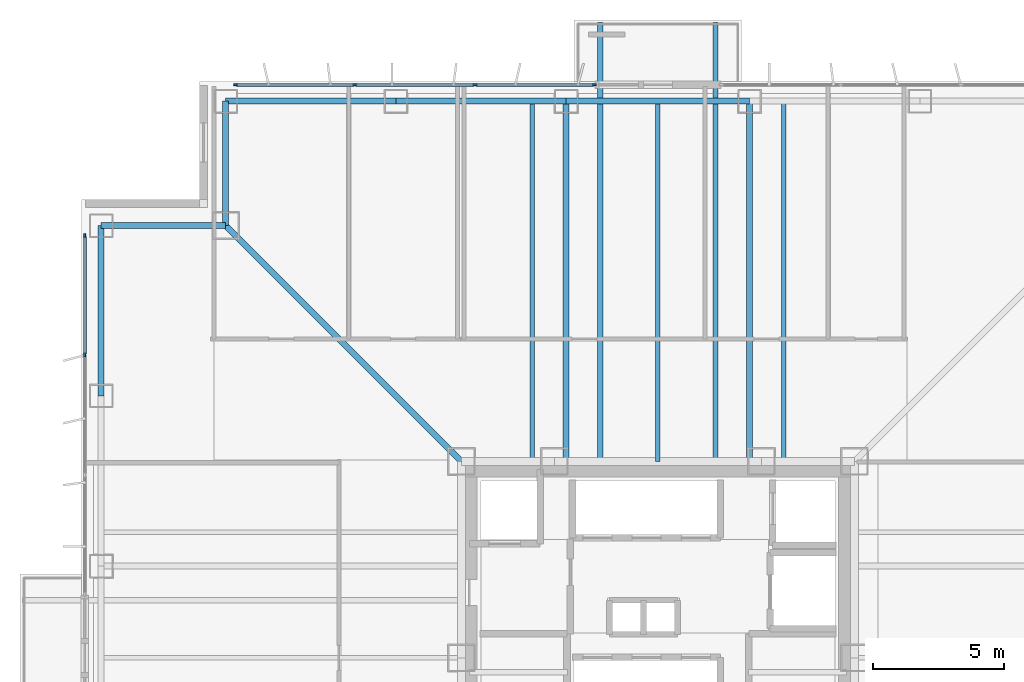
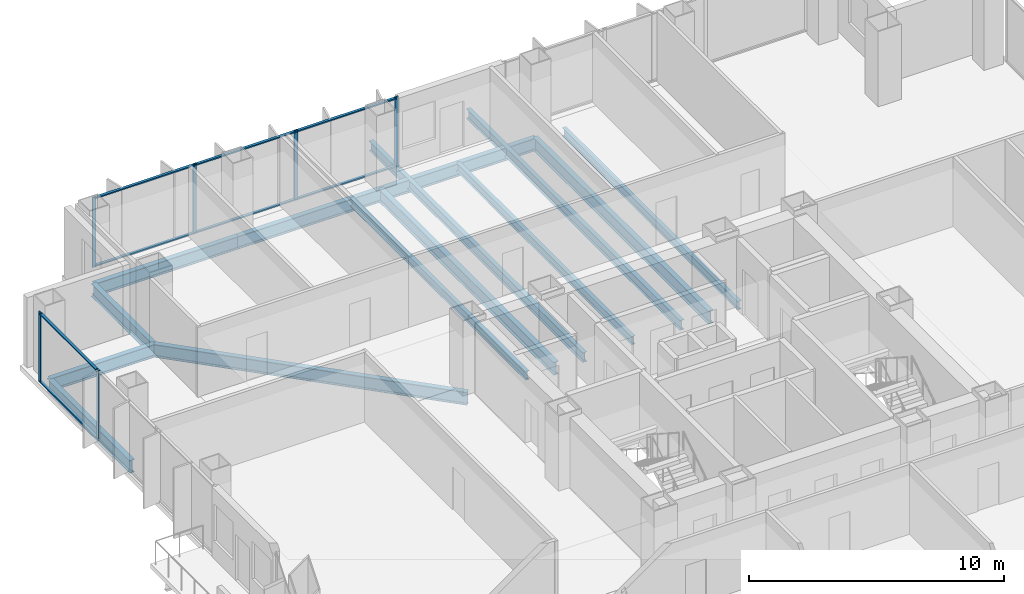
# One storey, part 7 of 15: 14 beams, 14 members, 2 elements without a shape of their own.
"""IFC4 building model written with IfcOpenShell, lengths in metres."""

from ifc_helpers import new_model, si_unit, direction, frame, origin, origin_2d, place, context, subcontext, project, spatial, rectangle, i_section, extrude, material, layer, layer_set, material_profile, profile_set, type_object, element, aggregate, save


model = new_model("IFC4")

# Units and contexts
model_context = context("Model", 3, precision=1e-05, world=origin(), true_north=direction((0.0, 1.0)))
body_context = subcontext(model_context, "Body", "Model", "MODEL_VIEW")
ifc_project = project(units=[si_unit("LENGTHUNIT", "METRE"), si_unit("AREAUNIT", "SQUARE_METRE"), si_unit("VOLUMEUNIT", "CUBIC_METRE"), si_unit("PLANEANGLEUNIT", "RADIAN"), si_unit("MASSUNIT", "GRAM", prefix="KILO")], contexts=[model_context])

# Site, building, storey
site_placement = place(None, origin())
site = spatial("IfcSite", under=ifc_project, at=site_placement, CompositionType="ELEMENT")
building_placement = place(site_placement, origin())
building = spatial("IfcBuilding", under=site, at=building_placement, Name="Trevonay Congress Spire", CompositionType="ELEMENT")
storey_placement = place(building_placement, frame((0.0, 0.0, 115.60009765625)))
storey = spatial("IfcBuildingStorey", under=building, at=storey_placement, Name="L29", CompositionType="ELEMENT", Elevation=115.60009765625)

# Beams
ifc_material_1 = material(Name="Steel ASTM A572 Grade 50", Category="steel")
ifc_material_profile_1 = material_profile(ifc_material_1, i_section(OverallWidth=0.194091796875, OverallDepth=0.468994140625, WebThickness=0.011474609375, FlangeThickness=0.01953125, FilletRadius=0.013916015625, at=origin_2d()), Name="W460x106")
ifc_profile_set_1 = profile_set([ifc_material_profile_1], Name="Steel ASTM A572 Grade 50")
beam_type_1 = type_object("IfcBeamType", Name="BM-BAL-LOOKOUT", PredefinedType="BEAM", material=ifc_profile_set_1)
for number, where, z_axis, x_axis, name in (
    (1, (-2.199951171875, 7.5, -0.474609375), (0.0, 1.0, 0.0), (-1.0, 0.0, 0.0), "L29 structural beam LKT-L29-N1"),
    (2, (2.199951171875, 7.5, -0.474609375), (0.0, 1.0, 0.0), (-1.0, 0.0, 0.0), "L29 structural beam LKT-L29-N2"),
):
    element("IfcBeam", number, at=place(storey_placement, frame(where, z_axis=z_axis, x_axis=x_axis)), inside=storey, type_object=beam_type_1, Name=name, PredefinedType="BEAM", context=body_context, shape_type="SweptSolid", body=[
        extrude(i_section(OverallWidth=0.194091796875, OverallDepth=0.468994140625, WebThickness=0.011474609375, FlangeThickness=0.01953125, FilletRadius=0.013916015625, at=origin_2d()), origin(), (0.0, 0.0, 1.0), 16.75),
    ])
ifc_material_profile_2 = material_profile(ifc_material_1, i_section(OverallWidth=0.22998046875, OverallDepth=0.616943359375, WebThickness=0.01318359375, FlangeThickness=0.022216796875, FilletRadius=0.01611328125, at=origin_2d()), Name="W610x140")
ifc_profile_set_2 = profile_set([ifc_material_profile_2], Name="Steel ASTM A572 Grade 50")
beam_type_2 = type_object("IfcBeamType", Name="BM-GIRD-W610X140", PredefinedType="BEAM", material=ifc_profile_set_2)
beam_1_placement = place(storey_placement, frame((-7.5, 7.5, -0.548583984375), z_axis=(-0.707106781187, 0.707106781187, 0.0), x_axis=(-0.707106781187, -0.707106781187, 0.0)))
element("IfcBeam", 3, at=beam_1_placement, inside=storey, type_object=beam_type_2, Name="L29 structural beam BM-L29-CDNW", PredefinedType="BEAM", context=body_context, shape_type="SweptSolid", body=[
    extrude(i_section(OverallWidth=0.22998046875, OverallDepth=0.616943359375, WebThickness=0.01318359375, FlangeThickness=0.022216796875, FilletRadius=0.01611328125, at=origin_2d()), origin(), (0.0, 0.0, 1.0), 12.72802734375),
])
for number, where, z_axis, x_axis, name in (
    (4, (-3.5, 7.5, -0.548583984375), (0.0, 1.0, 0.0), (-1.0, 0.0, 0.0), "L29 structural beam BM-L29-GN-M"),
    (5, (3.5, 7.5, -0.548583984375), (0.0, 1.0, 0.0), (-1.0, 0.0, 0.0), "L29 structural beam BM-L29-GN-P"),
):
    element("IfcBeam", number, at=place(storey_placement, frame(where, z_axis=z_axis, x_axis=x_axis)), inside=storey, type_object=beam_type_2, Name=name, PredefinedType="BEAM", context=body_context, shape_type="SweptSolid", body=[
        extrude(i_section(OverallWidth=0.22998046875, OverallDepth=0.616943359375, WebThickness=0.01318359375, FlangeThickness=0.022216796875, FilletRadius=0.01611328125, at=origin_2d()), origin(), (0.0, 0.0, 1.0), 13.75),
    ])
ifc_material_profile_3 = material_profile(ifc_material_1, i_section(OverallWidth=0.22802734375, OverallDepth=0.60791015625, WebThickness=0.01123046875, FlangeThickness=0.017333984375, FilletRadius=0.01611328125, at=origin_2d()), Name="W610x113")
ifc_profile_set_3 = profile_set([ifc_material_profile_3], Name="Steel ASTM A572 Grade 50")
beam_type_3 = type_object("IfcBeamType", Name="BM-RING-W610X113", PredefinedType="BEAM", material=ifc_profile_set_3)
for number, where, z_axis, x_axis, name in (
    (6, (-16.5, 21.25, -0.544189453125), (1.0, 0.0, 0.0), (0.0, 1.0, 0.0), "L29 structural beam BM-L29-PN1"),
    (7, (-10.0, 21.25, -0.544189453125), (1.0, 0.0, 0.0), (0.0, 1.0, 0.0), "L29 structural beam BM-L29-PN2"),
):
    element("IfcBeam", number, at=place(storey_placement, frame(where, z_axis=z_axis, x_axis=x_axis)), inside=storey, type_object=beam_type_3, Name=name, PredefinedType="BEAM", context=body_context, shape_type="SweptSolid", body=[
        extrude(i_section(OverallWidth=0.22802734375, OverallDepth=0.60791015625, WebThickness=0.01123046875, FlangeThickness=0.017333984375, FilletRadius=0.01611328125, at=origin_2d()), origin(), (0.0, 0.0, 1.0), 6.5),
    ])
beam_2_placement = place(storey_placement, frame((-3.5, 21.25, -0.544189453125), z_axis=(1.0, 0.0, 0.0), x_axis=(0.0, 1.0, 0.0)))
element("IfcBeam", 8, at=beam_2_placement, inside=storey, type_object=beam_type_3, Name="L29 structural beam BM-L29-PN3", PredefinedType="BEAM", context=body_context, shape_type="SweptSolid", body=[
    extrude(i_section(OverallWidth=0.22802734375, OverallDepth=0.60791015625, WebThickness=0.01123046875, FlangeThickness=0.017333984375, FilletRadius=0.01611328125, at=origin_2d()), origin(), (0.0, 0.0, 1.0), 7.0),
])
beam_3_placement = place(storey_placement, frame((-21.25, 10.0, -0.544189453125), z_axis=(0.0, 1.0, 0.0), x_axis=(-1.0, 0.0, 0.0)))
element("IfcBeam", 9, at=beam_3_placement, inside=storey, type_object=beam_type_3, Name="L29 structural beam BM-L29-PW5", PredefinedType="BEAM", context=body_context, shape_type="SweptSolid", body=[
    extrude(i_section(OverallWidth=0.22802734375, OverallDepth=0.60791015625, WebThickness=0.01123046875, FlangeThickness=0.017333984375, FilletRadius=0.01611328125, at=origin_2d()), origin(), (0.0, 0.0, 1.0), 6.5),
])
for number, where, z_axis, x_axis, name in (
    (10, (-16.5, 21.25, -0.544189453125), (0.0, -1.0, 0.0), (1.0, 0.0, 0.0), "L29 structural beam BM-L29-N1NW"),
    (11, (-21.25, 16.5, -0.544189453125), (1.0, 0.0, 0.0), (0.0, 1.0, 0.0), "L29 structural beam BM-L29-N2NW"),
):
    element("IfcBeam", number, at=place(storey_placement, frame(where, z_axis=z_axis, x_axis=x_axis)), inside=storey, type_object=beam_type_3, Name=name, PredefinedType="BEAM", context=body_context, shape_type="SweptSolid", body=[
        extrude(i_section(OverallWidth=0.22802734375, OverallDepth=0.60791015625, WebThickness=0.01123046875, FlangeThickness=0.017333984375, FilletRadius=0.01611328125, at=origin_2d()), origin(), (0.0, 0.0, 1.0), 4.75),
    ])

# Curtain wall, members
ifc_material_2 = material(Name="Pale Anodised Aluminium EN AW-6063-T6", Category="aluminium")
ifc_layer = layer(ifc_material_2, 0.175048828125, Name="Pale Anodised Aluminium EN AW-6063-T6")
ifc_layer_set = layer_set([ifc_layer], Name="Pale Anodised Aluminium EN AW-6063-T6")
curtain_wall_type = type_object("IfcCurtainWallType", Name="CW-SYS03-CONGRESS-PALE-METAL", PredefinedType="NOTDEFINED", material=ifc_layer_set)
curtain_wall_1_placement = place(storey_placement, origin())
curtain_wall_1 = element("IfcCurtainWall", 12, at=curtain_wall_1_placement, inside=storey, type_object=curtain_wall_type, Name="L29 NA unitised curtain wall", PredefinedType="NOTDEFINED")
ifc_material_profile_4 = material_profile(ifc_material_2, rectangle(XDim=0.06005859375, YDim=0.159912109375, at=origin_2d()), Name="CW-MULLION-160-ALUMINIUM")
ifc_profile_set_4 = profile_set([ifc_material_profile_4], Name="Pale Anodised Aluminium EN AW-6063-T6")
member_type_1 = type_object("IfcMemberType", Name="CW-MULLION-160-ALUMINIUM", PredefinedType="MULLION", material=ifc_profile_set_4)
member_1_placement = place(storey_placement, frame((-16.1201171875, 21.8798828125, 0.0), z_axis=(0.0, 0.0, 1.0), x_axis=(0.0, 1.0, 0.0)))
member_1 = element("IfcMember", 13, at=member_1_placement, type_object=member_type_1, Name="CW03 mullion 1", PredefinedType="MULLION", context=body_context, shape_type="SweptSolid", body=[
    extrude(rectangle(XDim=0.06005859375, YDim=0.159912109375, at=origin_2d()), origin(), (0.0, 0.0, 1.0), 3.35986328125),
])
member_2_placement = place(storey_placement, frame((-11.566650390625, 21.8798828125, 0.0), z_axis=(0.0, 0.0, 1.0), x_axis=(0.0, 1.0, 0.0)))
member_2 = element("IfcMember", 14, at=member_2_placement, type_object=member_type_1, Name="CW03 mullion 2", PredefinedType="MULLION", context=body_context, shape_type="SweptSolid", body=[
    extrude(rectangle(XDim=0.06005859375, YDim=0.159912109375, at=origin_2d()), origin(), (0.0, 0.0, 1.0), 3.35986328125),
])
member_3_placement = place(storey_placement, frame((-6.9833984375, 21.8798828125, 0.0), z_axis=(0.0, 0.0, 1.0), x_axis=(0.0, 1.0, 0.0)))
member_3 = element("IfcMember", 15, at=member_3_placement, type_object=member_type_1, Name="CW03 mullion 3", PredefinedType="MULLION", context=body_context, shape_type="SweptSolid", body=[
    extrude(rectangle(XDim=0.06005859375, YDim=0.159912109375, at=origin_2d()), origin(), (0.0, 0.0, 1.0), 3.35986328125),
])
member_4_placement = place(storey_placement, frame((-2.429931640625, 21.8798828125, 0.0), z_axis=(0.0, 0.0, 1.0), x_axis=(0.0, 1.0, 0.0)))
member_4 = element("IfcMember", 16, at=member_4_placement, type_object=member_type_1, Name="CW03 mullion 4", PredefinedType="MULLION", context=body_context, shape_type="SweptSolid", body=[
    extrude(rectangle(XDim=0.06005859375, YDim=0.159912109375, at=origin_2d()), origin(), (0.0, 0.0, 1.0), 3.35986328125),
])

curtain_wall_2_placement = place(storey_placement, origin())
curtain_wall_2 = element("IfcCurtainWall", 17, at=curtain_wall_2_placement, inside=storey, type_object=curtain_wall_type, Name="L29 WB unitised curtain wall", PredefinedType="NOTDEFINED")
member_5_placement = place(storey_placement, frame((-21.8798828125, 11.566650390625, 0.0), z_axis=(0.0, 0.0, 1.0), x_axis=(-1.0, 0.0, 0.0)))
member_5 = element("IfcMember", 18, at=member_5_placement, type_object=member_type_1, Name="CW03 mullion 3", PredefinedType="MULLION", context=body_context, shape_type="SweptSolid", body=[
    extrude(rectangle(XDim=0.06005859375, YDim=0.159912109375, at=origin_2d()), origin(), (0.0, 0.0, 1.0), 3.35986328125),
])
member_6_placement = place(storey_placement, frame((-21.8798828125, 16.1201171875, 0.0), z_axis=(0.0, 0.0, 1.0), x_axis=(-1.0, 0.0, 0.0)))
member_6 = element("IfcMember", 19, at=member_6_placement, type_object=member_type_1, Name="CW03 mullion 4", PredefinedType="MULLION", context=body_context, shape_type="SweptSolid", body=[
    extrude(rectangle(XDim=0.06005859375, YDim=0.159912109375, at=origin_2d()), origin(), (0.0, 0.0, 1.0), 3.35986328125),
])

# Member
ifc_material_profile_5 = material_profile(ifc_material_2, rectangle(XDim=0.1201171875, YDim=0.06005859375, at=origin_2d()), Name="CW-TRANSOM-120-ALUMINIUM")
ifc_profile_set_5 = profile_set([ifc_material_profile_5], Name="Pale Anodised Aluminium EN AW-6063-T6")
member_type_2 = type_object("IfcMemberType", Name="CW-TRANSOM-120-ALUMINIUM", PredefinedType="USERDEFINED", material=ifc_profile_set_5)
member_7_placement = place(storey_placement, frame((-16.090087890625, 21.8798828125, 0.059814453125), z_axis=(1.0, 0.0, 0.0), x_axis=(0.0, 1.0, 0.0)))
member_7 = element("IfcMember", 20, at=member_7_placement, type_object=member_type_2, Name="CW03 transom 1.1", ObjectType="TRANSOM", PredefinedType="USERDEFINED", context=body_context, shape_type="SweptSolid", body=[
    extrude(rectangle(XDim=0.1201171875, YDim=0.06005859375, at=origin_2d()), origin(), (0.0, 0.0, 1.0), 4.493408203125),
])

member_8_placement = place(storey_placement, frame((-16.090087890625, 21.8798828125, 3.2998046875), z_axis=(1.0, 0.0, 0.0), x_axis=(0.0, 1.0, 0.0)))
member_8 = element("IfcMember", 21, at=member_8_placement, type_object=member_type_2, Name="CW03 transom 1.2", ObjectType="TRANSOM", PredefinedType="USERDEFINED", context=body_context, shape_type="SweptSolid", body=[
    extrude(rectangle(XDim=0.1201171875, YDim=0.06005859375, at=origin_2d()), origin(), (0.0, 0.0, 1.0), 4.493408203125),
])

member_9_placement = place(storey_placement, frame((-11.53662109375, 21.8798828125, 0.059814453125), z_axis=(1.0, 0.0, 0.0), x_axis=(0.0, 1.0, 0.0)))
member_9 = element("IfcMember", 22, at=member_9_placement, type_object=member_type_2, Name="CW03 transom 2.1", ObjectType="TRANSOM", PredefinedType="USERDEFINED", context=body_context, shape_type="SweptSolid", body=[
    extrude(rectangle(XDim=0.1201171875, YDim=0.06005859375, at=origin_2d()), origin(), (0.0, 0.0, 1.0), 4.523193359375),
])

member_10_placement = place(storey_placement, frame((-11.53662109375, 21.8798828125, 3.2998046875), z_axis=(1.0, 0.0, 0.0), x_axis=(0.0, 1.0, 0.0)))
member_10 = element("IfcMember", 23, at=member_10_placement, type_object=member_type_2, Name="CW03 transom 2.2", ObjectType="TRANSOM", PredefinedType="USERDEFINED", context=body_context, shape_type="SweptSolid", body=[
    extrude(rectangle(XDim=0.1201171875, YDim=0.06005859375, at=origin_2d()), origin(), (0.0, 0.0, 1.0), 4.523193359375),
])

member_11_placement = place(storey_placement, frame((-6.953369140625, 21.8798828125, 0.059814453125), z_axis=(1.0, 0.0, 0.0), x_axis=(0.0, 1.0, 0.0)))
member_11 = element("IfcMember", 24, at=member_11_placement, type_object=member_type_2, Name="CW03 transom 3.1", ObjectType="TRANSOM", PredefinedType="USERDEFINED", context=body_context, shape_type="SweptSolid", body=[
    extrude(rectangle(XDim=0.1201171875, YDim=0.06005859375, at=origin_2d()), origin(), (0.0, 0.0, 1.0), 4.493408203125),
])

member_12_placement = place(storey_placement, frame((-6.953369140625, 21.8798828125, 3.2998046875), z_axis=(1.0, 0.0, 0.0), x_axis=(0.0, 1.0, 0.0)))
member_12 = element("IfcMember", 25, at=member_12_placement, type_object=member_type_2, Name="CW03 transom 3.2", ObjectType="TRANSOM", PredefinedType="USERDEFINED", context=body_context, shape_type="SweptSolid", body=[
    extrude(rectangle(XDim=0.1201171875, YDim=0.06005859375, at=origin_2d()), origin(), (0.0, 0.0, 1.0), 4.493408203125),
])

aggregate(curtain_wall_1, [member_1, member_2, member_3, member_4, member_7, member_8, member_9, member_10, member_11, member_12])

member_13_placement = place(storey_placement, frame((-21.8798828125, 11.5966796875, 0.059814453125), z_axis=(0.0, 1.0, 0.0), x_axis=(-1.0, 0.0, 0.0)))
member_13 = element("IfcMember", 26, at=member_13_placement, type_object=member_type_2, Name="CW03 transom 3.1", ObjectType="TRANSOM", PredefinedType="USERDEFINED", context=body_context, shape_type="SweptSolid", body=[
    extrude(rectangle(XDim=0.1201171875, YDim=0.06005859375, at=origin_2d()), origin(), (0.0, 0.0, 1.0), 4.493408203125),
])

member_14_placement = place(storey_placement, frame((-21.8798828125, 11.5966796875, 3.2998046875), z_axis=(0.0, 1.0, 0.0), x_axis=(-1.0, 0.0, 0.0)))
member_14 = element("IfcMember", 27, at=member_14_placement, type_object=member_type_2, Name="CW03 transom 3.2", ObjectType="TRANSOM", PredefinedType="USERDEFINED", context=body_context, shape_type="SweptSolid", body=[
    extrude(rectangle(XDim=0.1201171875, YDim=0.06005859375, at=origin_2d()), origin(), (0.0, 0.0, 1.0), 4.493408203125),
])

aggregate(curtain_wall_2, [member_5, member_6, member_13, member_14])

# Beams
ifc_material_profile_6 = material_profile(ifc_material_1, i_section(OverallWidth=0.177978515625, OverallDepth=0.406982421875, WebThickness=0.0078125, FlangeThickness=0.0126953125, FilletRadius=0.012939453125, at=origin_2d()), Name="W410x60")
ifc_profile_set_6 = profile_set([ifc_material_profile_6], Name="Steel ASTM A572 Grade 50")
beam_type_4 = type_object("IfcBeamType", Name="JS-COMP-W410X60", PredefinedType="JOIST", material=ifc_profile_set_6)
for number, where, z_axis, x_axis, name in (
    (28, (-4.800048828125, 7.5, -0.443603515625), (0.0, 1.0, 0.0), (-1.0, 0.0, 0.0), "L29 structural beam JS-L29-NS-N1"),
    (29, (0.0, 7.5, -0.443603515625), (0.0, 1.0, 0.0), (-1.0, 0.0, 0.0), "L29 structural beam JS-L29-NS-N2"),
    (30, (4.800048828125, 7.5, -0.443603515625), (0.0, 1.0, 0.0), (-1.0, 0.0, 0.0), "L29 structural beam JS-L29-NS-N3"),
):
    element("IfcBeam", number, at=place(storey_placement, frame(where, z_axis=z_axis, x_axis=x_axis)), inside=storey, type_object=beam_type_4, Name=name, PredefinedType="JOIST", context=body_context, shape_type="SweptSolid", body=[
        extrude(i_section(OverallWidth=0.177978515625, OverallDepth=0.406982421875, WebThickness=0.0078125, FlangeThickness=0.0126953125, FilletRadius=0.012939453125, at=origin_2d()), origin(), (0.0, 0.0, 1.0), 13.75),
    ])

save(model, "model.ifc")
